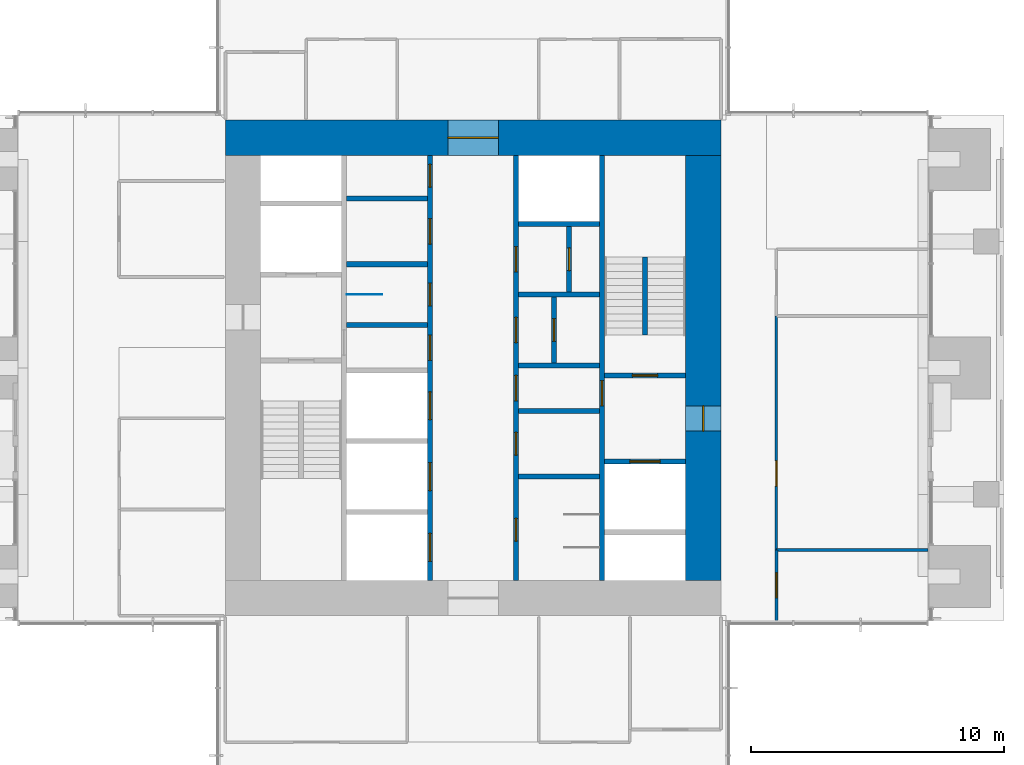
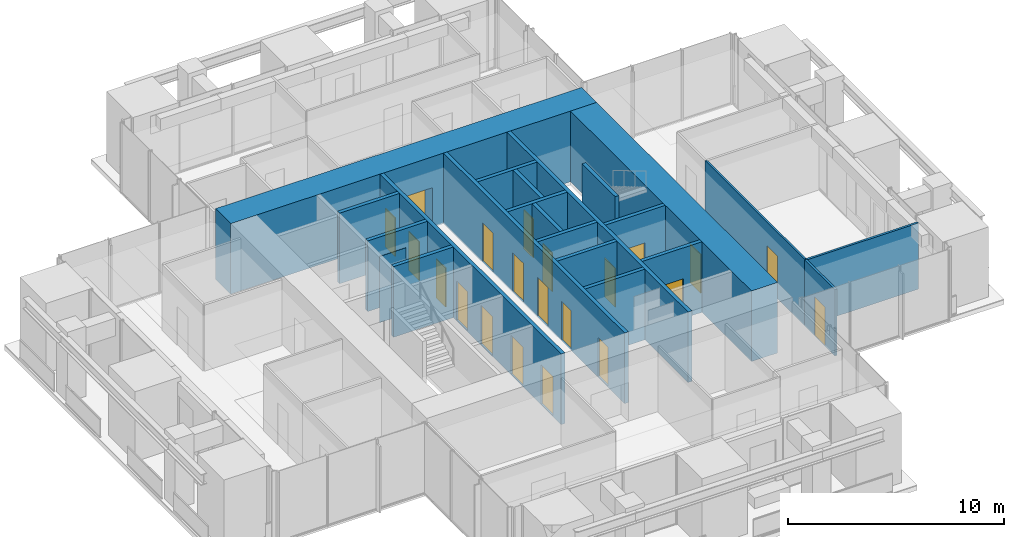
# One storey, part 13 of 17: 22 walls, 21 doors, 21 openings.
"""IFC4 building model written with IfcOpenShell, lengths in metres."""

import ifcopenshell
import ifcopenshell.guid

model = None  # the IFC model being written
_history = None  # IfcOwnerHistory: only IFC2X3 demands one
_inside = {}  # id of a spatial element -> (the spatial element, [elements in it])
_under = {}  # id of a project, library or spatial element -> (it, [spatial elements below it])
_declared = {}  # id of a project -> (the project, [libraries it declares])
_typed = {}  # id of a type object -> (the type object, [elements of that type])
_made_of = {}  # id of a material, layer set ... -> (it, [elements and type objects made of it])


def new_model(schema):
    """Start an empty IFC model of exactly this schema.

    Asked for "IFC4X3", IfcOpenShell would pick the latest addendum, in which some entities
    have other attributes; the version numbers below select the first issue.
    IFC2X3 requires an IfcOwnerHistory on every rooted entity: one is made here for all.
    """
    global model, _history
    if schema == "IFC4X3":
        model = ifcopenshell.file(schema_version=(4, 3, 0, 0))
    else:
        model = ifcopenshell.file(schema=schema)
    _inside.clear()
    _under.clear()
    _declared.clear()
    _typed.clear()
    _made_of.clear()
    _history = None
    if model.schema == "IFC2X3":
        org = make("IfcOrganization", Name="unknown")
        user = make(
            "IfcPersonAndOrganization",
            ThePerson=make("IfcPerson", FamilyName="unknown"),
            TheOrganization=org,
        )
        app = make(
            "IfcApplication",
            ApplicationDeveloper=org,
            Version="unknown",
            ApplicationFullName="unknown",
            ApplicationIdentifier="unknown",
        )
        _history = make(
            "IfcOwnerHistory",
            OwningUser=user,
            OwningApplication=app,
            ChangeAction="ADDED",
            CreationDate=0,
        )
    return model


def make(cls, **values):
    """One entity of the class cls with the attributes given. An attribute that is None is left unset."""
    return model.create_entity(
        cls, **{name: value for name, value in values.items() if value is not None}
    )


def rooted(cls, **values):
    """An entity with a GlobalId (a new one), such as an element, a storey or a relation."""
    return make(cls, GlobalId=ifcopenshell.guid.new(), OwnerHistory=_history, **values)


def si_unit(unit_type, name, prefix=None):
    """IfcSIUnit, for example si_unit("LENGTHUNIT", "METRE", prefix="MILLI")."""
    return make("IfcSIUnit", UnitType=unit_type, Prefix=prefix, Name=name)


def assignment(units):
    """IfcUnitAssignment: the units of a project."""
    return None if units is None else make("IfcUnitAssignment", Units=units)


def point(xyz):
    """IfcCartesianPoint."""
    return None if xyz is None else make("IfcCartesianPoint", Coordinates=xyz)


def direction(xyz):
    """IfcDirection."""
    return None if xyz is None else make("IfcDirection", DirectionRatios=xyz)


def frame(location, z_axis=None, x_axis=None):
    """IfcAxis2Placement3D, a coordinate frame: its origin and axes. An axis left out is left unset."""
    return make(
        "IfcAxis2Placement3D",
        Location=point(location),
        Axis=direction(z_axis),
        RefDirection=direction(x_axis),
    )


def frame_2d(location, x_axis=None):
    """IfcAxis2Placement2D, a coordinate frame in the plane: its origin and x axis."""
    return make(
        "IfcAxis2Placement2D", Location=point(location), RefDirection=direction(x_axis)
    )


def origin():
    """The frame at (0, 0, 0) with its axes left unset."""
    return frame((0.0, 0.0, 0.0))


def place(relative_to, where):
    """IfcLocalPlacement: puts the frame where relative to a parent placement (None: the world)."""
    return make(
        "IfcLocalPlacement", PlacementRelTo=relative_to, RelativePlacement=where
    )


def context(
    kind, dimensions, precision=None, world=None, true_north=None, identifier=None
):
    """IfcGeometricRepresentationContext, for example the 3D "Model" context."""
    return make(
        "IfcGeometricRepresentationContext",
        ContextIdentifier=identifier,
        ContextType=kind,
        CoordinateSpaceDimension=dimensions,
        Precision=precision,
        WorldCoordinateSystem=world,
        TrueNorth=true_north,
    )


def subcontext(parent, identifier, kind, view, scale=None):
    """IfcGeometricRepresentationSubContext, for example "Body" below "Model"."""
    return make(
        "IfcGeometricRepresentationSubContext",
        ContextIdentifier=identifier,
        ContextType=kind,
        ParentContext=parent,
        TargetScale=scale,
        TargetView=view,
    )


def project(units=None, contexts=None):
    """IfcProject with its units and contexts."""
    return rooted(
        "IfcProject",
        Name="project",
        RepresentationContexts=contexts,
        UnitsInContext=assignment(units),
    )


def spatial(cls, under=None, at=None, **own):
    """A site, building, storey or space (cls), placed at a placement, below another one or the project."""
    s = rooted(cls, ObjectPlacement=at, **own)
    if under is not None:
        _under.setdefault(under.id(), (under, []))[1].append(s)
    return s


def profile(cls, at=None, kind="AREA", **sizes):
    """A parametric profile (cls). Its sizes go by their IFC names, for example OverallWidth=200.0."""
    return make(cls, ProfileType=kind, Position=at, **sizes)


def rectangle(**sizes):
    """IfcRectangleProfileDef."""
    return profile("IfcRectangleProfileDef", **sizes)


def extrude(swept, where, along, depth):
    """IfcExtrudedAreaSolid: the profile swept, set in the frame where, extruded along a direction by depth."""
    return make(
        "IfcExtrudedAreaSolid",
        SweptArea=swept,
        Position=where,
        ExtrudedDirection=direction(along),
        Depth=depth,
    )


def shape(context_of_items, identifier, shape_type, items):
    """IfcShapeRepresentation: the items that make up one representation, for example the "Body"."""
    return make(
        "IfcShapeRepresentation",
        ContextOfItems=context_of_items,
        RepresentationIdentifier=identifier,
        RepresentationType=shape_type,
        Items=items,
    )


def material(Name=None, Category=None):
    """IfcMaterial."""
    return make("IfcMaterial", Name=Name, Category=Category)


def layer(
    of_material, thickness, ventilated=None, Name=None, Category=None, Priority=None
):
    """IfcMaterialLayer: one layer of a wall or slab, of a material (None: an air gap)."""
    return make(
        "IfcMaterialLayer",
        Material=of_material,
        LayerThickness=thickness,
        IsVentilated=ventilated,
        Name=Name,
        Category=Category,
        Priority=Priority,
    )


def layer_set(layers, Name=None):
    """IfcMaterialLayerSet."""
    return make("IfcMaterialLayerSet", MaterialLayers=layers, LayerSetName=Name)


def made_of(thing, what):
    """Note that an element or type object is made of a material, layer set ...; save() writes the relation."""
    if what is not None:
        _made_of.setdefault(what.id(), (what, []))[1].append(thing)
    return thing


def type_object(cls, material=None, **own):
    """A type object (cls), such as IfcWallType, which elements share."""
    return made_of(rooted(cls, **own), material)


def element(
    cls,
    number,
    at=None,
    inside=None,
    cuts=None,
    type_object=None,
    material=None,
    context=None,
    identifier="Body",
    shape_type=None,
    held_by="IfcProductDefinitionShape",
    body=None,
    shapes=None,
    **own,
):
    """One element of the class cls, such as IfcWall. Its Tag is "e" and its number.

    at: its placement. inside: the storey or other place that contains it. cuts: it is an
    opening in that element (IfcRelVoidsElement). A single representation is given by context,
    identifier, shape_type and body (its items); several are given by shapes. held_by: the class
    of the entity that holds the representations. save() writes the other relations.
    """
    e = rooted(cls, Tag="e%d" % number, ObjectPlacement=at, **own)
    if body is not None:
        shapes = [shape(context, identifier, shape_type, body)]
    if shapes is not None:
        e.Representation = make(held_by, Representations=shapes)
    if inside is not None:
        _inside.setdefault(inside.id(), (inside, []))[1].append(e)
    if cuts is not None:
        rooted(
            "IfcRelVoidsElement", RelatingBuildingElement=cuts, RelatedOpeningElement=e
        )
    if type_object is not None:
        _typed.setdefault(type_object.id(), (type_object, []))[1].append(e)
    return made_of(e, material)


def fill(opening, filler):
    """IfcRelFillsElement: the door or window that sits in an opening."""
    return rooted(
        "IfcRelFillsElement",
        RelatingOpeningElement=opening,
        RelatedBuildingElement=filler,
    )


def aggregate(whole, parts):
    """IfcRelAggregates: a whole, such as a stair, and the parts it consists of."""
    return rooted("IfcRelAggregates", RelatingObject=whole, RelatedObjects=parts)


def save(model, path):
    """Write the relations noted so far, then the file.

    IfcRelAggregates (storeys below a building ...), IfcRelContainedInSpatialStructure (elements
    in a storey), IfcRelDefinesByType, IfcRelAssociatesMaterial and IfcRelDeclares: one each for
    every whole, place, type object, material and project.
    """
    for whole, parts in _under.values():
        aggregate(whole, parts)
    for where, things in _inside.values():
        rooted(
            "IfcRelContainedInSpatialStructure",
            RelatedElements=things,
            RelatingStructure=where,
        )
    for kind, things in _typed.values():
        rooted("IfcRelDefinesByType", RelatedObjects=things, RelatingType=kind)
    for what, things in _made_of.values():
        rooted("IfcRelAssociatesMaterial", RelatedObjects=things, RelatingMaterial=what)
    for by, libraries in _declared.values():
        rooted("IfcRelDeclares", RelatingContext=by, RelatedDefinitions=libraries)
    model.write(path)


model = new_model("IFC4")

# Units and contexts
model_context = context("Model", 3, precision=1e-05, world=origin(), true_north=direction((0.0, 1.0)))
body_context = subcontext(model_context, "Body", "Model", "MODEL_VIEW")
ifc_project = project(units=[si_unit("LENGTHUNIT", "METRE"), si_unit("AREAUNIT", "SQUARE_METRE"), si_unit("VOLUMEUNIT", "CUBIC_METRE"), si_unit("PLANEANGLEUNIT", "RADIAN"), si_unit("MASSUNIT", "GRAM", prefix="KILO")], contexts=[model_context])

# Site, building, storey
site_placement = place(None, origin())
site = spatial("IfcSite", under=ifc_project, at=site_placement, CompositionType="ELEMENT")
building_placement = place(site_placement, origin())
building = spatial("IfcBuilding", under=site, at=building_placement, Name="Svetlomir Tower", CompositionType="ELEMENT")
storey_placement = place(building_placement, frame((0.0, 0.0, 178.5)))
storey = spatial("IfcBuildingStorey", under=building, at=storey_placement, Name="L42", CompositionType="ELEMENT", Elevation=178.5)

# Wall, openings, doors
ifc_material_1 = material(Name="Concrete C60/75", Category="concrete")
ifc_layer_1 = layer(ifc_material_1, 0.199951171875)
ifc_layer_set_1 = layer_set([ifc_layer_1], Name="Concrete C60/75")
wall_type_1 = type_object("IfcWallType", Name="CORE INNER WALL 200", PredefinedType="SHEAR", material=ifc_layer_set_1)
wall_1_placement = place(storey_placement, frame((19.300048828125, 12.60009765625, -0.050048828125), z_axis=(0.0, 0.0, 1.0), x_axis=(0.0, 1.0, 0.0)))
wall_1 = element("IfcWall", 1, at=wall_1_placement, inside=storey, type_object=wall_type_1, Name="Core inner wall 19.3 L42", PredefinedType="SHEAR", context=body_context, shape_type="SweptSolid", body=[
    extrude(rectangle(XDim=16.7998046875, YDim=0.199951171875, at=frame_2d((8.39990234375, 0.0))), origin(), (0.0, 0.0, 1.0), 4.0),
])
opening_1_placement = place(wall_1_placement, frame((8.699951171875, 0.0, 0.050048828125)))
opening_1 = element("IfcOpeningElement", 2, at=opening_1_placement, cuts=wall_1, Name="Opening DC", PredefinedType="OPENING", context=body_context, shape_type="SweptSolid", body=[
    extrude(rectangle(XDim=1.0, YDim=2.199951171875, at=frame_2d((0.5, 1.10009765625))), frame((0.0, 0.10986328125, 0.0), z_axis=(0.0, -1.0, 0.0), x_axis=(1.0, 0.0, 0.0)), (0.0, 0.0, 1.0), 0.219970703125),
])
opening_2_placement = place(wall_1_placement, frame((10.85009765625, 0.0, 0.050048828125)))
opening_2 = element("IfcOpeningElement", 3, at=opening_2_placement, cuts=wall_1, Name="Opening DW", PredefinedType="OPENING", context=body_context, shape_type="SweptSolid", body=[
    extrude(rectangle(XDim=0.89990234375, YDim=2.199951171875, at=frame_2d((0.449951171875, 1.10009765625))), frame((0.0, 0.10986328125, 0.0), z_axis=(0.0, -1.0, 0.0), x_axis=(1.0, 0.0, 0.0)), (0.0, 0.0, 1.0), 0.219970703125),
])
opening_3_placement = place(wall_1_placement, frame((13.300048828125, 0.0, 0.050048828125)))
opening_3 = element("IfcOpeningElement", 4, at=opening_3_placement, cuts=wall_1, Name="Opening DC", PredefinedType="OPENING", context=body_context, shape_type="SweptSolid", body=[
    extrude(rectangle(XDim=1.0, YDim=2.199951171875, at=frame_2d((0.5, 1.10009765625))), frame((0.0, 0.10986328125, 0.0), z_axis=(0.0, -1.0, 0.0), x_axis=(1.0, 0.0, 0.0)), (0.0, 0.0, 1.0), 0.219970703125),
])
opening_4_placement = place(wall_1_placement, frame((15.550048828125, 0.0, 0.050048828125)))
opening_4 = element("IfcOpeningElement", 5, at=opening_4_placement, cuts=wall_1, Name="Opening DW", PredefinedType="OPENING", context=body_context, shape_type="SweptSolid", body=[
    extrude(rectangle(XDim=0.89990234375, YDim=2.199951171875, at=frame_2d((0.449951171875, 1.10009765625))), frame((0.0, 0.10986328125, 0.0), z_axis=(0.0, -1.0, 0.0), x_axis=(1.0, 0.0, 0.0)), (0.0, 0.0, 1.0), 0.219970703125),
])
opening_5_placement = place(wall_1_placement, frame((0.75, 0.0, 0.050048828125)))
opening_5 = element("IfcOpeningElement", 6, at=opening_5_placement, cuts=wall_1, Name="Opening LD", PredefinedType="OPENING", context=body_context, shape_type="SweptSolid", body=[
    extrude(rectangle(XDim=1.10009765625, YDim=2.199951171875, at=frame_2d((0.550048828125, 1.10009765625))), frame((0.0, 0.10986328125, 0.0), z_axis=(0.0, -1.0, 0.0), x_axis=(1.0, 0.0, 0.0)), (0.0, 0.0, 1.0), 0.219970703125),
])
opening_6_placement = place(wall_1_placement, frame((3.550048828125, 0.0, 0.050048828125)))
opening_6 = element("IfcOpeningElement", 7, at=opening_6_placement, cuts=wall_1, Name="Opening LD", PredefinedType="OPENING", context=body_context, shape_type="SweptSolid", body=[
    extrude(rectangle(XDim=1.10009765625, YDim=2.199951171875, at=frame_2d((0.550048828125, 1.10009765625))), frame((0.0, 0.10986328125, 0.0), z_axis=(0.0, -1.0, 0.0), x_axis=(1.0, 0.0, 0.0)), (0.0, 0.0, 1.0), 0.219970703125),
])
opening_7_placement = place(wall_1_placement, frame((6.35009765625, 0.0, 0.050048828125)))
opening_7 = element("IfcOpeningElement", 8, at=opening_7_placement, cuts=wall_1, Name="Opening LD", PredefinedType="OPENING", context=body_context, shape_type="SweptSolid", body=[
    extrude(rectangle(XDim=1.10009765625, YDim=2.199951171875, at=frame_2d((0.550048828125, 1.10009765625))), frame((0.0, 0.10986328125, 0.0), z_axis=(0.0, -1.0, 0.0), x_axis=(1.0, 0.0, 0.0)), (0.0, 0.0, 1.0), 0.219970703125),
])
ifc_material_2 = material(Name="Timber fire door", Category="wood")
door_type_1 = type_object("IfcDoorType", Name="DOOR DC 1000x2200", OperationType="SINGLE_SWING_LEFT", PredefinedType="DOOR", material=ifc_material_2)
door_1_placement = place(opening_1_placement, origin())
door_1 = element("IfcDoor", 9, at=door_1_placement, inside=storey, type_object=door_type_1, Name="Core corridor west lobby door L42", OperationType="SINGLE_SWING_LEFT", OverallHeight=2.199951171875, OverallWidth=1.0, PredefinedType="DOOR", context=body_context, shape_type="SweptSolid", body=[
    extrude(rectangle(XDim=1.0, YDim=2.199951171875, at=frame_2d((0.5, 1.10009765625))), frame((0.0, 0.02490234375, 0.0), z_axis=(0.0, -1.0, 0.0), x_axis=(1.0, 0.0, 0.0)), (0.0, 0.0, 1.0), 0.050048828125),
])
fill(opening_1, door_1)
door_2_placement = place(opening_3_placement, origin())
door_2 = element("IfcDoor", 10, at=door_2_placement, inside=storey, type_object=door_type_1, Name="Accessible WC door L42", OperationType="SINGLE_SWING_RIGHT", OverallHeight=2.199951171875, OverallWidth=1.0, PredefinedType="DOOR", context=body_context, shape_type="SweptSolid", body=[
    extrude(rectangle(XDim=1.0, YDim=2.199951171875, at=frame_2d((0.5, 1.10009765625))), frame((0.0, 0.02490234375, 0.0), z_axis=(0.0, -1.0, 0.0), x_axis=(1.0, 0.0, 0.0)), (0.0, 0.0, 1.0), 0.050048828125),
])
fill(opening_3, door_2)
ifc_material_3 = material(Name="Timber fire door", Category="wood")
door_type_2 = type_object("IfcDoorType", Name="DOOR DW 900x2200", OperationType="SINGLE_SWING_LEFT", PredefinedType="DOOR", material=ifc_material_3)
door_3_placement = place(opening_2_placement, origin())
door_3 = element("IfcDoor", 11, at=door_3_placement, inside=storey, type_object=door_type_2, Name="Female WC door L42", OperationType="SINGLE_SWING_LEFT", OverallHeight=2.199951171875, OverallWidth=0.89990234375, PredefinedType="DOOR", context=body_context, shape_type="SweptSolid", body=[
    extrude(rectangle(XDim=0.89990234375, YDim=2.199951171875, at=frame_2d((0.449951171875, 1.10009765625))), frame((0.0, 0.02490234375, 0.0), z_axis=(0.0, -1.0, 0.0), x_axis=(1.0, 0.0, 0.0)), (0.0, 0.0, 1.0), 0.050048828125),
])
fill(opening_2, door_3)
door_4_placement = place(opening_4_placement, origin())
door_4 = element("IfcDoor", 12, at=door_4_placement, inside=storey, type_object=door_type_2, Name="First aid room door L42", OperationType="SINGLE_SWING_LEFT", OverallHeight=2.199951171875, OverallWidth=0.89990234375, PredefinedType="DOOR", context=body_context, shape_type="SweptSolid", body=[
    extrude(rectangle(XDim=0.89990234375, YDim=2.199951171875, at=frame_2d((0.449951171875, 1.10009765625))), frame((0.0, 0.02490234375, 0.0), z_axis=(0.0, -1.0, 0.0), x_axis=(1.0, 0.0, 0.0)), (0.0, 0.0, 1.0), 0.050048828125),
])
fill(opening_4, door_4)
ifc_material_4 = material(Name="Stainless steel landing door", Category="steel")
door_type_3 = type_object("IfcDoorType", Name="LIFT LANDING DOOR LD 1100x2200", OperationType="DOUBLE_DOOR_SLIDING", PredefinedType="DOOR", material=ifc_material_4)
door_5_placement = place(opening_5_placement, origin())
door_5 = element("IfcDoor", 13, at=door_5_placement, inside=storey, type_object=door_type_3, Name="Landing door lift LC1 L42", OperationType="DOUBLE_DOOR_SLIDING", OverallHeight=2.199951171875, OverallWidth=1.10009765625, PredefinedType="DOOR", context=body_context, shape_type="SweptSolid", body=[
    extrude(rectangle(XDim=1.10009765625, YDim=2.199951171875, at=frame_2d((0.550048828125, 1.10009765625))), frame((0.0, 0.02490234375, 0.0), z_axis=(0.0, -1.0, 0.0), x_axis=(1.0, 0.0, 0.0)), (0.0, 0.0, 1.0), 0.050048828125),
])
fill(opening_5, door_5)
door_6_placement = place(opening_6_placement, origin())
door_6 = element("IfcDoor", 14, at=door_6_placement, inside=storey, type_object=door_type_3, Name="Landing door lift LC2 L42", OperationType="DOUBLE_DOOR_SLIDING", OverallHeight=2.199951171875, OverallWidth=1.10009765625, PredefinedType="DOOR", context=body_context, shape_type="SweptSolid", body=[
    extrude(rectangle(XDim=1.10009765625, YDim=2.199951171875, at=frame_2d((0.550048828125, 1.10009765625))), frame((0.0, 0.02490234375, 0.0), z_axis=(0.0, -1.0, 0.0), x_axis=(1.0, 0.0, 0.0)), (0.0, 0.0, 1.0), 0.050048828125),
])
fill(opening_6, door_6)
door_7_placement = place(opening_7_placement, origin())
door_7 = element("IfcDoor", 15, at=door_7_placement, inside=storey, type_object=door_type_3, Name="Landing door lift LC3 L42", OperationType="DOUBLE_DOOR_SLIDING", OverallHeight=2.199951171875, OverallWidth=1.10009765625, PredefinedType="DOOR", context=body_context, shape_type="SweptSolid", body=[
    extrude(rectangle(XDim=1.10009765625, YDim=2.199951171875, at=frame_2d((0.550048828125, 1.10009765625))), frame((0.0, 0.02490234375, 0.0), z_axis=(0.0, -1.0, 0.0), x_axis=(1.0, 0.0, 0.0)), (0.0, 0.0, 1.0), 0.050048828125),
])
fill(opening_7, door_7)

wall_2_placement = place(storey_placement, frame((22.699951171875, 12.60009765625, -0.050048828125), z_axis=(0.0, 0.0, 1.0), x_axis=(0.0, 1.0, 0.0)))
wall_2 = element("IfcWall", 16, at=wall_2_placement, inside=storey, type_object=wall_type_1, Name="Core inner wall 22.7 L42", PredefinedType="SHEAR", context=body_context, shape_type="SweptSolid", body=[
    extrude(rectangle(XDim=16.7998046875, YDim=0.199951171875, at=frame_2d((8.39990234375, 0.0))), origin(), (0.0, 0.0, 1.0), 4.0),
])
opening_8_placement = place(wall_2_placement, frame((7.10009765625, 0.0, 0.050048828125)))
opening_8 = element("IfcOpeningElement", 17, at=opening_8_placement, cuts=wall_2, Name="Opening DC", PredefinedType="OPENING", context=body_context, shape_type="SweptSolid", body=[
    extrude(rectangle(XDim=1.0, YDim=2.199951171875, at=frame_2d((0.5, 1.10009765625))), frame((0.0, 0.10986328125, 0.0), z_axis=(0.0, -1.0, 0.0), x_axis=(1.0, 0.0, 0.0)), (0.0, 0.0, 1.0), 0.219970703125),
])
opening_9_placement = place(wall_2_placement, frame((1.550048828125, 0.0, 0.050048828125)))
opening_9 = element("IfcOpeningElement", 18, at=opening_9_placement, cuts=wall_2, Name="Opening DW", PredefinedType="OPENING", context=body_context, shape_type="SweptSolid", body=[
    extrude(rectangle(XDim=0.89990234375, YDim=2.199951171875, at=frame_2d((0.449951171875, 1.10009765625))), frame((0.0, 0.10986328125, 0.0), z_axis=(0.0, -1.0, 0.0), x_axis=(1.0, 0.0, 0.0)), (0.0, 0.0, 1.0), 0.219970703125),
])
opening_10_placement = place(wall_2_placement, frame((4.949951171875, 0.0, 0.050048828125)))
opening_10 = element("IfcOpeningElement", 19, at=opening_10_placement, cuts=wall_2, Name="Opening DW", PredefinedType="OPENING", context=body_context, shape_type="SweptSolid", body=[
    extrude(rectangle(XDim=0.89990234375, YDim=2.199951171875, at=frame_2d((0.449951171875, 1.10009765625))), frame((0.0, 0.10986328125, 0.0), z_axis=(0.0, -1.0, 0.0), x_axis=(1.0, 0.0, 0.0)), (0.0, 0.0, 1.0), 0.219970703125),
])
opening_11_placement = place(wall_2_placement, frame((9.39990234375, 0.0, 0.050048828125)))
opening_11 = element("IfcOpeningElement", 20, at=opening_11_placement, cuts=wall_2, Name="Opening DC", PredefinedType="OPENING", context=body_context, shape_type="SweptSolid", body=[
    extrude(rectangle(XDim=1.0, YDim=2.199951171875, at=frame_2d((0.5, 1.10009765625))), frame((0.0, 0.10986328125, 0.0), z_axis=(0.0, -1.0, 0.0), x_axis=(1.0, 0.0, 0.0)), (0.0, 0.0, 1.0), 0.219970703125),
])
opening_12_placement = place(wall_2_placement, frame((12.199951171875, 0.0, 0.050048828125)))
opening_12 = element("IfcOpeningElement", 21, at=opening_12_placement, cuts=wall_2, Name="Opening DC", PredefinedType="OPENING", context=body_context, shape_type="SweptSolid", body=[
    extrude(rectangle(XDim=1.0, YDim=2.199951171875, at=frame_2d((0.5, 1.10009765625))), frame((0.0, 0.10986328125, 0.0), z_axis=(0.0, -1.0, 0.0), x_axis=(1.0, 0.0, 0.0)), (0.0, 0.0, 1.0), 0.219970703125),
])
door_8_placement = place(opening_8_placement, origin())
door_8 = element("IfcDoor", 22, at=door_8_placement, inside=storey, type_object=door_type_1, Name="Core corridor east lobby door L42", OperationType="SINGLE_SWING_RIGHT", OverallHeight=2.199951171875, OverallWidth=1.0, PredefinedType="DOOR", context=body_context, shape_type="SweptSolid", body=[
    extrude(rectangle(XDim=1.0, YDim=2.199951171875, at=frame_2d((0.5, 1.10009765625))), frame((0.0, 0.02490234375, 0.0), z_axis=(0.0, -1.0, 0.0), x_axis=(1.0, 0.0, 0.0)), (0.0, 0.0, 1.0), 0.050048828125),
])
fill(opening_8, door_8)
door_9_placement = place(opening_11_placement, origin())
door_9 = element("IfcDoor", 23, at=door_9_placement, inside=storey, type_object=door_type_1, Name="Converted shaft BANK-E1 room door L42", OperationType="SINGLE_SWING_RIGHT", OverallHeight=2.199951171875, OverallWidth=1.0, PredefinedType="DOOR", context=body_context, shape_type="SweptSolid", body=[
    extrude(rectangle(XDim=1.0, YDim=2.199951171875, at=frame_2d((0.5, 1.10009765625))), frame((0.0, 0.02490234375, 0.0), z_axis=(0.0, -1.0, 0.0), x_axis=(1.0, 0.0, 0.0)), (0.0, 0.0, 1.0), 0.050048828125),
])
fill(opening_11, door_9)
door_10_placement = place(opening_12_placement, origin())
door_10 = element("IfcDoor", 24, at=door_10_placement, inside=storey, type_object=door_type_1, Name="Converted shaft BANK-E2 room door L42", OperationType="SINGLE_SWING_RIGHT", OverallHeight=2.199951171875, OverallWidth=1.0, PredefinedType="DOOR", context=body_context, shape_type="SweptSolid", body=[
    extrude(rectangle(XDim=1.0, YDim=2.199951171875, at=frame_2d((0.5, 1.10009765625))), frame((0.0, 0.02490234375, 0.0), z_axis=(0.0, -1.0, 0.0), x_axis=(1.0, 0.0, 0.0)), (0.0, 0.0, 1.0), 0.050048828125),
])
fill(opening_12, door_10)
door_11_placement = place(opening_9_placement, origin())
door_11 = element("IfcDoor", 25, at=door_11_placement, inside=storey, type_object=door_type_2, Name="Male WC door L42", OperationType="SINGLE_SWING_RIGHT", OverallHeight=2.199951171875, OverallWidth=0.89990234375, PredefinedType="DOOR", context=body_context, shape_type="SweptSolid", body=[
    extrude(rectangle(XDim=0.89990234375, YDim=2.199951171875, at=frame_2d((0.449951171875, 1.10009765625))), frame((0.0, 0.02490234375, 0.0), z_axis=(0.0, -1.0, 0.0), x_axis=(1.0, 0.0, 0.0)), (0.0, 0.0, 1.0), 0.050048828125),
])
fill(opening_9, door_11)
door_12_placement = place(opening_10_placement, origin())
door_12 = element("IfcDoor", 26, at=door_12_placement, inside=storey, type_object=door_type_2, Name="Comms room door L42", OperationType="SINGLE_SWING_LEFT", OverallHeight=2.199951171875, OverallWidth=0.89990234375, PredefinedType="DOOR", context=body_context, shape_type="SweptSolid", body=[
    extrude(rectangle(XDim=0.89990234375, YDim=2.199951171875, at=frame_2d((0.449951171875, 1.10009765625))), frame((0.0, 0.02490234375, 0.0), z_axis=(0.0, -1.0, 0.0), x_axis=(1.0, 0.0, 0.0)), (0.0, 0.0, 1.0), 0.050048828125),
])
fill(opening_10, door_12)

# Wall, opening, door
wall_3_placement = place(storey_placement, frame((26.10009765625, 12.60009765625, -0.050048828125), z_axis=(0.0, 0.0, 1.0), x_axis=(0.0, 1.0, 0.0)))
wall_3 = element("IfcWall", 27, at=wall_3_placement, inside=storey, type_object=wall_type_1, Name="Core inner wall 26.1 L42", PredefinedType="SHEAR", context=body_context, shape_type="SweptSolid", body=[
    extrude(rectangle(XDim=16.7998046875, YDim=0.199951171875, at=frame_2d((8.39990234375, 0.0))), origin(), (0.0, 0.0, 1.0), 4.0),
])
opening_13_placement = place(wall_3_placement, frame((6.89990234375, 0.0, 0.050048828125)))
opening_13 = element("IfcOpeningElement", 28, at=opening_13_placement, cuts=wall_3, Name="Opening DF", PredefinedType="OPENING", context=body_context, shape_type="SweptSolid", body=[
    extrude(rectangle(XDim=1.0, YDim=2.199951171875, at=frame_2d((0.5, 1.10009765625))), frame((0.0, 0.10986328125, 0.0), z_axis=(0.0, -1.0, 0.0), x_axis=(1.0, 0.0, 0.0)), (0.0, 0.0, 1.0), 0.219970703125),
])
ifc_material_5 = material(Name="Steel fire door", Category="steel")
door_type_4 = type_object("IfcDoorType", Name="DOOR DF 1000x2200", OperationType="SINGLE_SWING_LEFT", PredefinedType="DOOR", material=ifc_material_5)
door_13_placement = place(opening_13_placement, origin())
door_13 = element("IfcDoor", 29, at=door_13_placement, inside=storey, type_object=door_type_4, Name="Core corridor east door L42", OperationType="SINGLE_SWING_LEFT", OverallHeight=2.199951171875, OverallWidth=1.0, PredefinedType="DOOR", context=body_context, shape_type="SweptSolid", body=[
    extrude(rectangle(XDim=1.0, YDim=2.199951171875, at=frame_2d((0.5, 1.10009765625))), frame((0.0, 0.02490234375, 0.0), z_axis=(0.0, -1.0, 0.0), x_axis=(1.0, 0.0, 0.0)), (0.0, 0.0, 1.0), 0.050048828125),
])
fill(opening_13, door_13)

# Walls
for number, where, z_axis, x_axis, name in (
    (30, (16.0, 22.699951171875, -0.050048828125), (0.0, 0.0, 1.0), (1.0, 0.0, 0.0), "Core inner wall 16-19.2/22.7 L42"),
    (31, (16.0, 25.10009765625, -0.050048828125), (0.0, 0.0, 1.0), (1.0, 0.0, 0.0), "Core inner wall 16-19.2/25.1 L42"),
    (32, (16.0, 27.699951171875, -0.050048828125), (0.0, 0.0, 1.0), (1.0, 0.0, 0.0), "Core inner wall 16-19.2/27.7 L42"),
    (33, (22.800048828125, 16.699951171875, -0.050048828125), (0.0, 0.0, 1.0), (1.0, 0.0, 0.0), "Core inner wall 22.8-26/16.7 L42"),
    (34, (22.800048828125, 19.300048828125, -0.050048828125), (0.0, 0.0, 1.0), (1.0, 0.0, 0.0), "Core inner wall 22.8-26/19.3 L42"),
    (35, (22.800048828125, 21.10009765625, -0.050048828125), (0.0, 0.0, 1.0), (1.0, 0.0, 0.0), "Core inner wall 22.8-26/21.1 L42"),
    (36, (22.800048828125, 23.89990234375, -0.050048828125), (0.0, 0.0, 1.0), (1.0, 0.0, 0.0), "Core inner wall 22.8-26/23.9 L42"),
    (37, (22.800048828125, 26.699951171875, -0.050048828125), (0.0, 0.0, 1.0), (1.0, 0.0, 0.0), "Core inner wall 22.8-26/26.7 L42"),
):
    element("IfcWall", number, at=place(storey_placement, frame(where, z_axis=z_axis, x_axis=x_axis)), inside=storey, type_object=wall_type_1, Name=name, PredefinedType="SHEAR", context=body_context, shape_type="SweptSolid", body=[
        extrude(rectangle(XDim=3.199951171875, YDim=0.199951171875, at=frame_2d((1.60009765625, 0.0))), origin(), (0.0, 0.0, 1.0), 4.0),
    ])

# Wall, opening, door
wall_4_placement = place(storey_placement, frame((26.199951171875, 17.300048828125, -0.050048828125), z_axis=(0.0, 0.0, 1.0), x_axis=(1.0, 0.0, 0.0)))
wall_4 = element("IfcWall", 38, at=wall_4_placement, inside=storey, type_object=wall_type_1, Name="Core inner wall 26.2-29.4/17.3 L42", PredefinedType="SHEAR", context=body_context, shape_type="SweptSolid", body=[
    extrude(rectangle(XDim=3.199951171875, YDim=0.199951171875, at=frame_2d((1.60009765625, 0.0))), origin(), (0.0, 0.0, 1.0), 4.0),
])
opening_14_placement = place(wall_4_placement, frame((1.0, 0.0, 0.050048828125)))
opening_14 = element("IfcOpeningElement", 39, at=opening_14_placement, cuts=wall_4, Name="Opening LD3", PredefinedType="OPENING", context=body_context, shape_type="SweptSolid", body=[
    extrude(rectangle(XDim=1.199951171875, YDim=2.199951171875, at=frame_2d((0.60009765625, 1.10009765625))), frame((0.0, 0.10986328125, 0.0), z_axis=(0.0, -1.0, 0.0), x_axis=(1.0, 0.0, 0.0)), (0.0, 0.0, 1.0), 0.219970703125),
])
ifc_material_6 = material(Name="Stainless steel fire-rated landing door", Category="steel")
door_type_5 = type_object("IfcDoorType", Name="FIREFIGHTING LIFT LANDING DOOR LD3 1200x2200", OperationType="DOUBLE_DOOR_SLIDING", PredefinedType="DOOR", material=ifc_material_6)
door_14_placement = place(opening_14_placement, origin())
door_14 = element("IfcDoor", 40, at=door_14_placement, inside=storey, type_object=door_type_5, Name="Landing door lift FL2 L42", OperationType="DOUBLE_DOOR_SLIDING", OverallHeight=2.199951171875, OverallWidth=1.199951171875, PredefinedType="DOOR", context=body_context, shape_type="SweptSolid", body=[
    extrude(rectangle(XDim=1.199951171875, YDim=2.199951171875, at=frame_2d((0.60009765625, 1.10009765625))), frame((0.0, 0.02490234375, 0.0), z_axis=(0.0, -1.0, 0.0), x_axis=(1.0, 0.0, 0.0)), (0.0, 0.0, 1.0), 0.050048828125),
])
fill(opening_14, door_14)

wall_5_placement = place(storey_placement, frame((26.199951171875, 20.699951171875, -0.050048828125), z_axis=(0.0, 0.0, 1.0), x_axis=(1.0, 0.0, 0.0)))
wall_5 = element("IfcWall", 41, at=wall_5_placement, inside=storey, type_object=wall_type_1, Name="Core inner wall 26.2-29.4/20.7 L42", PredefinedType="SHEAR", context=body_context, shape_type="SweptSolid", body=[
    extrude(rectangle(XDim=3.199951171875, YDim=0.199951171875, at=frame_2d((1.60009765625, 0.0))), origin(), (0.0, 0.0, 1.0), 4.0),
])
opening_15_placement = place(wall_5_placement, frame((1.10009765625, 0.0, 0.050048828125)))
opening_15 = element("IfcOpeningElement", 42, at=opening_15_placement, cuts=wall_5, Name="Opening DF", PredefinedType="OPENING", context=body_context, shape_type="SweptSolid", body=[
    extrude(rectangle(XDim=1.0, YDim=2.199951171875, at=frame_2d((0.5, 1.10009765625))), frame((0.0, 0.10986328125, 0.0), z_axis=(0.0, -1.0, 0.0), x_axis=(1.0, 0.0, 0.0)), (0.0, 0.0, 1.0), 0.219970703125),
])
door_15_placement = place(opening_15_placement, origin())
door_15 = element("IfcDoor", 43, at=door_15_placement, inside=storey, type_object=door_type_4, Name="Stair S2 door L42", OperationType="SINGLE_SWING_RIGHT", OverallHeight=2.199951171875, OverallWidth=1.0, PredefinedType="DOOR", context=body_context, shape_type="SweptSolid", body=[
    extrude(rectangle(XDim=1.0, YDim=2.199951171875, at=frame_2d((0.5, 1.10009765625))), frame((0.0, 0.02490234375, 0.0), z_axis=(0.0, -1.0, 0.0), x_axis=(1.0, 0.0, 0.0)), (0.0, 0.0, 1.0), 0.050048828125),
])
fill(opening_15, door_15)

wall_6_placement = place(storey_placement, frame((24.199951171875, 21.199951171875, -0.050048828125), z_axis=(0.0, 0.0, 1.0), x_axis=(0.0, 1.0, 0.0)))
wall_6 = element("IfcWall", 44, at=wall_6_placement, inside=storey, type_object=wall_type_1, Name="Core inner wall 24.2/21.2-23.8 L42", PredefinedType="SHEAR", context=body_context, shape_type="SweptSolid", body=[
    extrude(rectangle(XDim=2.60009765625, YDim=0.199951171875, at=frame_2d((1.300048828125, 0.0))), origin(), (0.0, 0.0, 1.0), 4.0),
])
opening_16_placement = place(wall_6_placement, frame((0.85009765625, 0.0, 0.050048828125)))
opening_16 = element("IfcOpeningElement", 45, at=opening_16_placement, cuts=wall_6, Name="Opening DW", PredefinedType="OPENING", context=body_context, shape_type="SweptSolid", body=[
    extrude(rectangle(XDim=0.89990234375, YDim=2.199951171875, at=frame_2d((0.449951171875, 1.10009765625))), frame((0.0, 0.10986328125, 0.0), z_axis=(0.0, -1.0, 0.0), x_axis=(1.0, 0.0, 0.0)), (0.0, 0.0, 1.0), 0.219970703125),
])
door_16_placement = place(opening_16_placement, origin())
door_16 = element("IfcDoor", 46, at=door_16_placement, inside=storey, type_object=door_type_2, Name="Converted shaft BANK-E1 back room door L42", OperationType="SINGLE_SWING_LEFT", OverallHeight=2.199951171875, OverallWidth=0.89990234375, PredefinedType="DOOR", context=body_context, shape_type="SweptSolid", body=[
    extrude(rectangle(XDim=0.89990234375, YDim=2.199951171875, at=frame_2d((0.449951171875, 1.10009765625))), frame((0.0, 0.02490234375, 0.0), z_axis=(0.0, -1.0, 0.0), x_axis=(1.0, 0.0, 0.0)), (0.0, 0.0, 1.0), 0.050048828125),
])
fill(opening_16, door_16)

wall_7_placement = place(storey_placement, frame((24.800048828125, 24.0, -0.050048828125), z_axis=(0.0, 0.0, 1.0), x_axis=(0.0, 1.0, 0.0)))
wall_7 = element("IfcWall", 47, at=wall_7_placement, inside=storey, type_object=wall_type_1, Name="Core inner wall 24.8/24-26.6 L42", PredefinedType="SHEAR", context=body_context, shape_type="SweptSolid", body=[
    extrude(rectangle(XDim=2.60009765625, YDim=0.199951171875, at=frame_2d((1.300048828125, 0.0))), origin(), (0.0, 0.0, 1.0), 4.0),
])
opening_17_placement = place(wall_7_placement, frame((0.85009765625, 0.0, 0.050048828125)))
opening_17 = element("IfcOpeningElement", 48, at=opening_17_placement, cuts=wall_7, Name="Opening DW", PredefinedType="OPENING", context=body_context, shape_type="SweptSolid", body=[
    extrude(rectangle(XDim=0.89990234375, YDim=2.199951171875, at=frame_2d((0.449951171875, 1.10009765625))), frame((0.0, 0.10986328125, 0.0), z_axis=(0.0, -1.0, 0.0), x_axis=(1.0, 0.0, 0.0)), (0.0, 0.0, 1.0), 0.219970703125),
])
door_17_placement = place(opening_17_placement, origin())
door_17 = element("IfcDoor", 49, at=door_17_placement, inside=storey, type_object=door_type_2, Name="Converted shaft BANK-E2 back room door L42", OperationType="SINGLE_SWING_LEFT", OverallHeight=2.199951171875, OverallWidth=0.89990234375, PredefinedType="DOOR", context=body_context, shape_type="SweptSolid", body=[
    extrude(rectangle(XDim=0.89990234375, YDim=2.199951171875, at=frame_2d((0.449951171875, 1.10009765625))), frame((0.0, 0.02490234375, 0.0), z_axis=(0.0, -1.0, 0.0), x_axis=(1.0, 0.0, 0.0)), (0.0, 0.0, 1.0), 0.050048828125),
])
fill(opening_17, door_17)

ifc_material_7 = material(Name="Concrete C60/75", Category="concrete")
ifc_layer_2 = layer(ifc_material_7, 1.39990234375)
ifc_layer_set_2 = layer_set([ifc_layer_2], Name="Concrete C60/75")
wall_type_2 = type_object("IfcWallType", Name="CORE WALL 1400", PredefinedType="SHEAR", material=ifc_layer_set_2)
wall_8_placement = place(storey_placement, frame((11.199951171875, 30.10009765625, -0.050048828125), z_axis=(0.0, 0.0, 1.0), x_axis=(1.0, 0.0, 0.0)))
wall_8 = element("IfcWall", 50, at=wall_8_placement, inside=storey, type_object=wall_type_2, Name="Core wall north L42", PredefinedType="SHEAR", context=body_context, shape_type="SweptSolid", body=[
    extrude(rectangle(XDim=19.60009765625, YDim=1.39990234375, at=frame_2d((9.800048828125, 0.0))), origin(), (0.0, 0.0, 1.0), 4.0),
])
opening_18_placement = place(wall_8_placement, frame((8.800048828125, 0.0, 0.050048828125)))
opening_18 = element("IfcOpeningElement", 51, at=opening_18_placement, cuts=wall_8, Name="Opening DL", PredefinedType="OPENING", context=body_context, shape_type="SweptSolid", body=[
    extrude(rectangle(XDim=2.0, YDim=2.199951171875, at=frame_2d((1.0, 1.10009765625))), frame((0.0, 0.7099609375, 0.0), z_axis=(0.0, -1.0, 0.0), x_axis=(1.0, 0.0, 0.0)), (0.0, 0.0, 1.0), 1.419921875),
])
ifc_material_8 = material(Name="Steel fire door", Category="steel")
door_type_6 = type_object("IfcDoorType", Name="DOOR DL 2000x2200", OperationType="DOUBLE_DOOR_SINGLE_SWING", PredefinedType="DOOR", material=ifc_material_8)
door_18_placement = place(opening_18_placement, origin())
door_18 = element("IfcDoor", 52, at=door_18_placement, inside=storey, type_object=door_type_6, Name="Lift lobby north door L42", OperationType="DOUBLE_DOOR_SINGLE_SWING", OverallHeight=2.199951171875, OverallWidth=2.0, PredefinedType="DOOR", context=body_context, shape_type="SweptSolid", body=[
    extrude(rectangle(XDim=2.0, YDim=2.199951171875, at=frame_2d((1.0, 1.10009765625))), frame((0.0, 0.02490234375, 0.0), z_axis=(0.0, -1.0, 0.0), x_axis=(1.0, 0.0, 0.0)), (0.0, 0.0, 1.0), 0.050048828125),
])
fill(opening_18, door_18)

wall_9_placement = place(storey_placement, frame((30.10009765625, 12.60009765625, -0.050048828125), z_axis=(0.0, 0.0, 1.0), x_axis=(0.0, 1.0, 0.0)))
wall_9 = element("IfcWall", 53, at=wall_9_placement, inside=storey, type_object=wall_type_2, Name="Core wall east L42", PredefinedType="SHEAR", context=body_context, shape_type="SweptSolid", body=[
    extrude(rectangle(XDim=16.7998046875, YDim=1.39990234375, at=frame_2d((8.39990234375, 0.0))), origin(), (0.0, 0.0, 1.0), 4.0),
])
opening_19_placement = place(wall_9_placement, frame((5.89990234375, 0.0, 0.050048828125)))
opening_19 = element("IfcOpeningElement", 54, at=opening_19_placement, cuts=wall_9, Name="Opening DF", PredefinedType="OPENING", context=body_context, shape_type="SweptSolid", body=[
    extrude(rectangle(XDim=1.0, YDim=2.199951171875, at=frame_2d((0.5, 1.10009765625))), frame((0.0, 0.7099609375, 0.0), z_axis=(0.0, -1.0, 0.0), x_axis=(1.0, 0.0, 0.0)), (0.0, 0.0, 1.0), 1.419921875),
])
door_19_placement = place(opening_19_placement, origin())
door_19 = element("IfcDoor", 55, at=door_19_placement, inside=storey, type_object=door_type_4, Name="Firefighting lobby east door L42", OperationType="SINGLE_SWING_RIGHT", OverallHeight=2.199951171875, OverallWidth=1.0, PredefinedType="DOOR", context=body_context, shape_type="SweptSolid", body=[
    extrude(rectangle(XDim=1.0, YDim=2.199951171875, at=frame_2d((0.5, 1.10009765625))), frame((0.0, 0.02490234375, 0.0), z_axis=(0.0, -1.0, 0.0), x_axis=(1.0, 0.0, 0.0)), (0.0, 0.0, 1.0), 0.050048828125),
])
fill(opening_19, door_19)

ifc_material_9 = material(Name="Framed laminated glass partition", Category="glass")
ifc_layer_3 = layer(ifc_material_9, 0.10009765625)
ifc_layer_set_3 = layer_set([ifc_layer_3], Name="Framed laminated glass partition")
wall_type_3 = type_object("IfcWallType", Name="GLAZED PARTITION 100", PredefinedType="PARTITIONING", material=ifc_layer_set_3)
wall_10_placement = place(storey_placement, frame((33.0, 13.800048828125, 0.0), z_axis=(0.0, 0.0, 1.0), x_axis=(0.0, 1.0, 0.0)))
wall_10 = element("IfcWall", 56, at=wall_10_placement, inside=storey, type_object=wall_type_3, Name="Glazed partition L42", PredefinedType="PARTITIONING", context=body_context, shape_type="SweptSolid", body=[
    extrude(rectangle(XDim=9.25, YDim=0.10009765625, at=frame_2d((4.625, 0.0))), origin(), (0.0, 0.0, 1.0), 3.75),
])
opening_20_placement = place(wall_10_placement, frame((2.52490234375, 0.0, 0.0)))
opening_20 = element("IfcOpeningElement", 57, at=opening_20_placement, cuts=wall_10, Name="Opening DG", PredefinedType="OPENING", context=body_context, shape_type="SweptSolid", body=[
    extrude(rectangle(XDim=1.0, YDim=2.39990234375, at=frame_2d((0.5, 1.199951171875))), frame((0.0, 0.06005859375, 0.0), z_axis=(0.0, -1.0, 0.0), x_axis=(1.0, 0.0, 0.0)), (0.0, 0.0, 1.0), 0.1201171875),
])
ifc_material_10 = material(Name="Framed laminated glass door", Category="glass")
door_type_7 = type_object("IfcDoorType", Name="GLAZED DOOR DG 1000x2400", OperationType="SINGLE_SWING_LEFT", PredefinedType="DOOR", material=ifc_material_10)
door_20_placement = place(opening_20_placement, origin())
door_20 = element("IfcDoor", 58, at=door_20_placement, inside=storey, type_object=door_type_7, Name="ESG team hub door L42", OperationType="SINGLE_SWING_RIGHT", OverallHeight=2.39990234375, OverallWidth=1.0, PredefinedType="DOOR", context=body_context, shape_type="SweptSolid", body=[
    extrude(rectangle(XDim=1.0, YDim=2.39990234375, at=frame_2d((0.5, 1.199951171875))), frame((0.0, 0.02490234375, 0.0), z_axis=(0.0, -1.0, 0.0), x_axis=(1.0, 0.0, 0.0)), (0.0, 0.0, 1.0), 0.050048828125),
])
fill(opening_20, door_20)

ifc_material_11 = material(Name="Gypsum board on steel studs", Category="steel")
ifc_layer_4 = layer(ifc_material_11, 0.1201171875)
ifc_layer_set_4 = layer_set([ifc_layer_4], Name="Gypsum board on steel studs")
wall_type_4 = type_object("IfcWallType", Name="PARTITION 120", PredefinedType="PARTITIONING", material=ifc_layer_set_4)
wall_11_placement = place(storey_placement, frame((33.0, 11.0, 0.0), z_axis=(0.0, 0.0, 1.0), x_axis=(0.0, 1.0, 0.0)))
wall_11 = element("IfcWall", 59, at=wall_11_placement, inside=storey, type_object=wall_type_4, Name="Partition L42", PredefinedType="PARTITIONING", context=body_context, shape_type="SweptSolid", body=[
    extrude(rectangle(XDim=2.800048828125, YDim=0.1201171875, at=frame_2d((1.39990234375, 0.0))), origin(), (0.0, 0.0, 1.0), 3.75),
])
opening_21_placement = place(wall_11_placement, frame((0.89990234375, 0.0, 0.0)))
opening_21 = element("IfcOpeningElement", 60, at=opening_21_placement, cuts=wall_11, Name="Opening DR", PredefinedType="OPENING", context=body_context, shape_type="SweptSolid", body=[
    extrude(rectangle(XDim=1.0, YDim=2.199951171875, at=frame_2d((0.5, 1.10009765625))), frame((0.0, 0.070068359375, 0.0), z_axis=(0.0, -1.0, 0.0), x_axis=(1.0, 0.0, 0.0)), (0.0, 0.0, 1.0), 0.14013671875),
])
ifc_material_12 = material(Name="Timber door, glazed side light", Category="wood")
door_type_8 = type_object("IfcDoorType", Name="DOOR DR 1000x2200", OperationType="SINGLE_SWING_LEFT", PredefinedType="DOOR", material=ifc_material_12)
door_21_placement = place(opening_21_placement, origin())
door_21 = element("IfcDoor", 61, at=door_21_placement, inside=storey, type_object=door_type_8, Name="Head of sustainability office door L42", OperationType="SINGLE_SWING_RIGHT", OverallHeight=2.199951171875, OverallWidth=1.0, PredefinedType="DOOR", context=body_context, shape_type="SweptSolid", body=[
    extrude(rectangle(XDim=1.0, YDim=2.199951171875, at=frame_2d((0.5, 1.10009765625))), frame((0.0, 0.02490234375, 0.0), z_axis=(0.0, -1.0, 0.0), x_axis=(1.0, 0.0, 0.0)), (0.0, 0.0, 1.0), 0.050048828125),
])
fill(opening_21, door_21)

# Walls
wall_12_placement = place(storey_placement, frame((33.0, 13.800048828125, 0.0), z_axis=(0.0, 0.0, 1.0), x_axis=(1.0, 0.0, 0.0)))
element("IfcWall", 62, at=wall_12_placement, inside=storey, type_object=wall_type_4, Name="Partition L42", PredefinedType="PARTITIONING", context=body_context, shape_type="SweptSolid", body=[
    extrude(rectangle(XDim=6.0, YDim=0.1201171875, at=frame_2d((3.0, 0.0))), origin(), (0.0, 0.0, 1.0), 3.75),
])
ifc_material_13 = material(Name="Concrete C60/75", Category="concrete")
ifc_layer_5 = layer(ifc_material_13, 0.199951171875)
ifc_layer_set_5 = layer_set([ifc_layer_5], Name="Concrete C60/75")
wall_type_5 = type_object("IfcWallType", Name="STAIR SPINE WALL 200", PredefinedType="PARTITIONING", material=ifc_layer_set_5)
wall_13_placement = place(storey_placement, frame((27.800048828125, 22.300048828125, 0.0), z_axis=(0.0, 0.0, 1.0), x_axis=(0.0, 1.0, 0.0)))
element("IfcWall", 63, at=wall_13_placement, inside=storey, type_object=wall_type_5, Name="Stair S2 spine wall L42", PredefinedType="PARTITIONING", context=body_context, shape_type="SweptSolid", body=[
    extrude(rectangle(XDim=3.079833984375, YDim=0.199951171875, at=frame_2d((1.5400390625, 0.0))), origin(), (0.0, 0.0, 1.0), 4.0),
])
ifc_material_14 = material(Name="Compact laminate panel", Category="plastic")
ifc_layer_6 = layer(ifc_material_14, 0.030029296875)
ifc_layer_set_6 = layer_set([ifc_layer_6], Name="Compact laminate panel")
wall_type_6 = type_object("IfcWallType", Name="WC CUBICLE PARTITION 30", PredefinedType="PARTITIONING", material=ifc_layer_set_6)
wall_14_placement = place(storey_placement, frame((16.0, 23.89990234375, 0.0), z_axis=(0.0, 0.0, 1.0), x_axis=(1.0, 0.0, 0.0)))
element("IfcWall", 64, at=wall_14_placement, inside=storey, type_object=wall_type_6, Name="WC cubicle partition L42", PredefinedType="PARTITIONING", context=body_context, shape_type="SweptSolid", body=[
    extrude(rectangle(XDim=1.39990234375, YDim=0.030029296875, at=frame_2d((0.699951171875, 0.0))), origin(), (0.0, 0.0, 1.0), 3.75),
])

save(model, "model.ifc")
